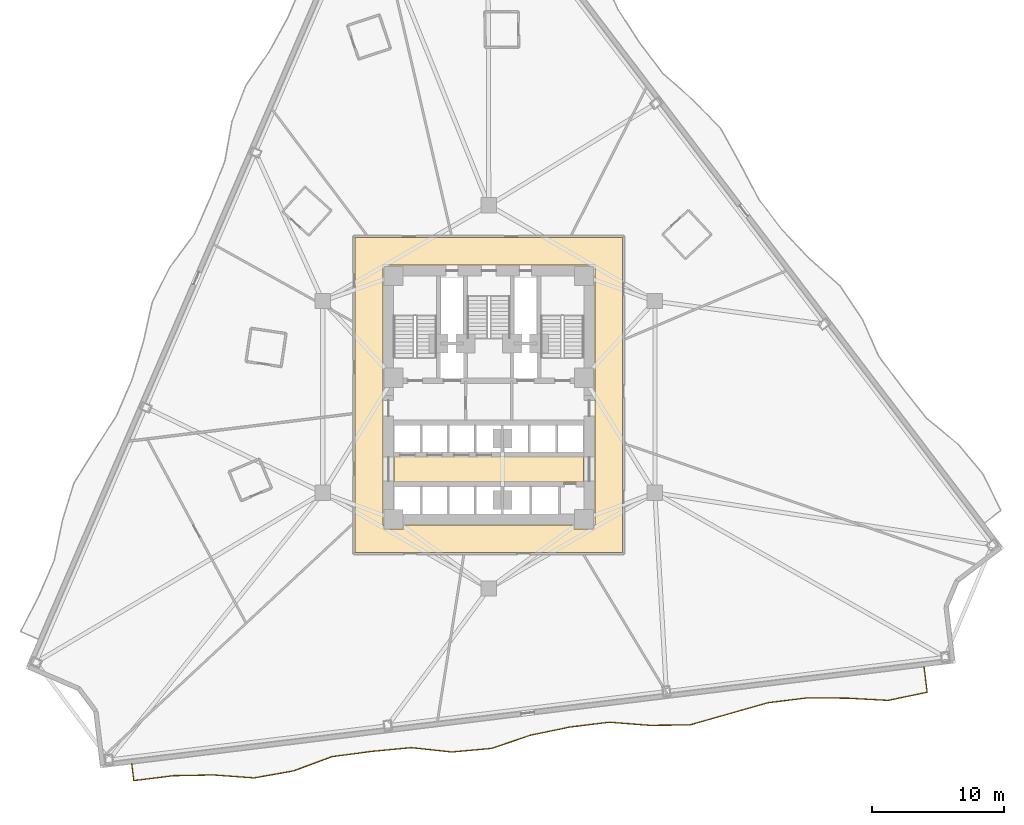
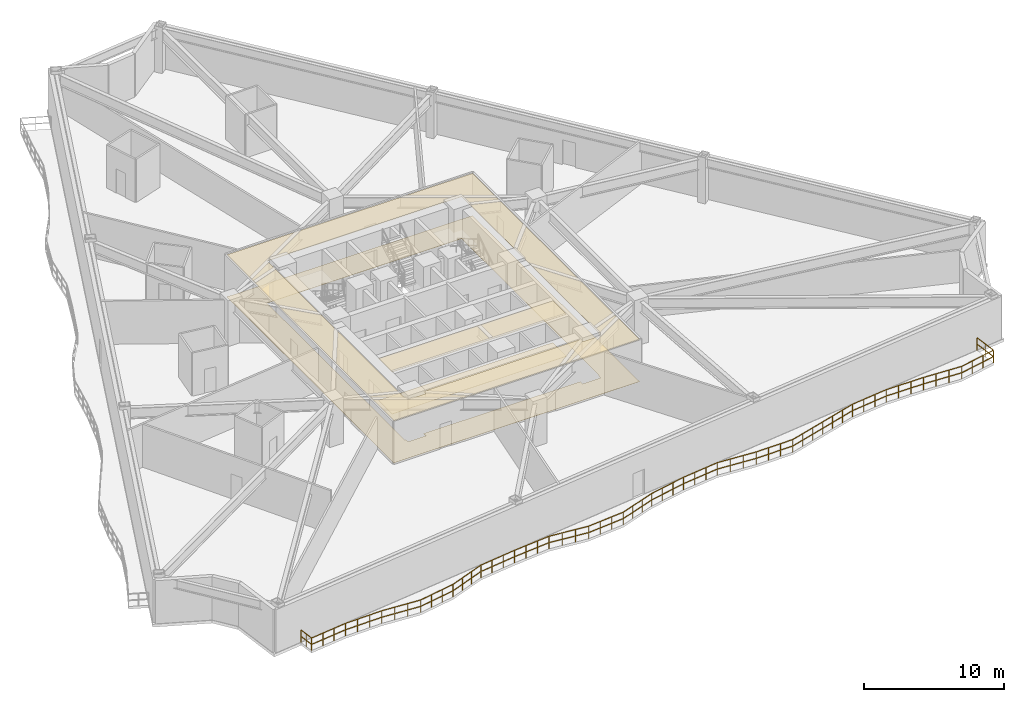
# One storey, part 8 of 12: 4 coverings, 1 railing.
"""IFC4 building model written with IfcOpenShell, lengths in metres."""

from ifc_helpers import new_model, si_unit, direction, frame, origin, origin_2d, place, context, subcontext, project, spatial, polyline, rectangle, outline, extrude, material, layer, layer_set, type_object, element, save


model = new_model("IFC4")

# Units and contexts
model_context = context("Model", 3, precision=1e-05, world=origin(), true_north=direction((0.0, 1.0)))
body_context = subcontext(model_context, "Body", "Model", "MODEL_VIEW")
ifc_project = project(units=[si_unit("LENGTHUNIT", "METRE"), si_unit("AREAUNIT", "SQUARE_METRE"), si_unit("VOLUMEUNIT", "CUBIC_METRE"), si_unit("PLANEANGLEUNIT", "RADIAN"), si_unit("MASSUNIT", "GRAM", prefix="KILO")], contexts=[model_context])

# Site, building, storey
site_placement = place(None, origin())
site = spatial("IfcSite", under=ifc_project, at=site_placement, CompositionType="ELEMENT")
building_placement = place(site_placement, origin())
building = spatial("IfcBuilding", under=site, at=building_placement, Name="Apsidion Concourse Tower", CompositionType="ELEMENT")
storey_placement = place(building_placement, frame((0.0, 0.0, 83.0)))
storey = spatial("IfcBuildingStorey", under=building, at=storey_placement, Name="L18", CompositionType="ELEMENT", Elevation=83.0)

# Coverings
ifc_material_1 = material(Name="Acoustic mineral fibre ceiling")
ifc_layer_1 = layer(ifc_material_1, 0.0400390625)
ifc_layer_set_1 = layer_set([ifc_layer_1], Name="Acoustic mineral fibre ceiling")
covering_type_1 = type_object("IfcCoveringType", Name="COV-CEIL-40", PredefinedType="CEILING", material=ifc_layer_set_1)
covering_1_placement = place(storey_placement, frame((0.0, 0.0, 3.64990234375)))
element("IfcCovering", 1, at=covering_1_placement, inside=storey, type_object=covering_type_1, Name="L18 Acoustic Ceiling Grid 1", PredefinedType="CEILING", context=body_context, shape_type="SweptSolid", body=[
    extrude(outline(polyline([(-7.179931640625, -6.449951171875), (-7.179931640625, -4.47998046875), (7.179931640625, -4.47998046875), (7.179931640625, -6.449951171875), (-7.179931640625, -6.449951171875)])), origin(), (0.0, 0.0, 1.0), 0.0400390625),
])
covering_2_placement = place(storey_placement, frame((0.0, 0.0, 3.64990234375)))
element("IfcCovering", 2, at=covering_2_placement, inside=storey, type_object=covering_type_1, Name="L18 Acoustic Ceiling Grid 2", PredefinedType="CEILING", context=body_context, shape_type="SweptSolid", body=[
    extrude(outline(polyline([(10.1201171875, 12.070068359375), (10.1201171875, -11.77001953125), (-10.1201171875, -11.77001953125), (-10.1201171875, 12.070068359375), (10.1201171875, 12.070068359375)]), holes=[polyline([(-8.02001953125, -9.669921875), (-7.945068359375, -9.669921875), (-7.945068359375, -9.97509765625), (-7.94482421875, -9.97705078125), (-7.944580078125, -9.97900390625), (-7.944091796875, -9.980712890625), (-7.943603515625, -9.982666015625), (-7.942626953125, -9.984375), (-7.941650390625, -9.986083984375), (-7.9404296875, -9.98779296875), (-7.939208984375, -9.989013671875), (-7.937744140625, -9.990478515625), (-7.93603515625, -9.99169921875), (-7.934326171875, -9.99267578125), (-7.9326171875, -9.993408203125), (-7.930908203125, -9.994140625), (-7.928955078125, -9.99462890625), (-7.927001953125, -9.994873046875), (-7.925048828125, -9.9951171875), (-6.47509765625, -9.9951171875), (-6.472900390625, -9.994873046875), (-6.47119140625, -9.99462890625), (-6.46923828125, -9.994140625), (-6.46728515625, -9.993408203125), (-6.465576171875, -9.99267578125), (-6.4638671875, -9.99169921875), (-6.46240234375, -9.990478515625), (-6.4609375, -9.989013671875), (-6.45947265625, -9.98779296875), (-6.45849609375, -9.986083984375), (-6.45751953125, -9.984375), (-6.45654296875, -9.982666015625), (-6.455810546875, -9.980712890625), (-6.455322265625, -9.97900390625), (-6.455078125, -9.97705078125), (-6.455078125, -9.97509765625), (-6.455078125, -9.669921875), (6.455078125, -9.669921875), (6.455078125, -9.97509765625), (6.455078125, -9.97705078125), (6.455322265625, -9.97900390625), (6.455810546875, -9.980712890625), (6.45654296875, -9.982666015625), (6.45751953125, -9.984375), (6.45849609375, -9.986083984375), (6.45947265625, -9.98779296875), (6.4609375, -9.989013671875), (6.46240234375, -9.990478515625), (6.4638671875, -9.99169921875), (6.465576171875, -9.99267578125), (6.46728515625, -9.993408203125), (6.46923828125, -9.994140625), (6.47119140625, -9.99462890625), (6.472900390625, -9.994873046875), (6.47509765625, -9.9951171875), (7.925048828125, -9.9951171875), (7.927001953125, -9.994873046875), (7.928955078125, -9.99462890625), (7.930908203125, -9.994140625), (7.9326171875, -9.993408203125), (7.934326171875, -9.99267578125), (7.93603515625, -9.99169921875), (7.937744140625, -9.990478515625), (7.939208984375, -9.989013671875), (7.9404296875, -9.98779296875), (7.941650390625, -9.986083984375), (7.942626953125, -9.984375), (7.943603515625, -9.982666015625), (7.944091796875, -9.980712890625), (7.944580078125, -9.97900390625), (7.94482421875, -9.97705078125), (7.945068359375, -9.97509765625), (7.945068359375, -9.669921875), (8.02001953125, -9.669921875), (8.02001953125, 9.969970703125), (-8.02001953125, 9.969970703125), (-8.02001953125, -9.669921875)])]), origin(), (0.0, 0.0, 1.0), 0.0400390625),
])
ifc_material_2 = material(Name="Honed travertine floor finish", Category="masonry")
ifc_layer_2 = layer(ifc_material_2, 0.02001953125)
ifc_layer_set_2 = layer_set([ifc_layer_2], Name="Honed travertine floor finish")
covering_type_2 = type_object("IfcCoveringType", Name="COV-FLOR-20", PredefinedType="FLOORING", material=ifc_layer_set_2)
covering_3_placement = place(storey_placement, origin())
element("IfcCovering", 3, at=covering_3_placement, inside=storey, type_object=covering_type_2, Name="L18 Honed Travertine Floor Finish 1", PredefinedType="FLOORING", context=body_context, shape_type="SweptSolid", body=[
    extrude(outline(polyline([(-7.179931640625, -6.449951171875), (-7.179931640625, -4.47998046875), (7.179931640625, -4.47998046875), (7.179931640625, -6.449951171875), (-7.179931640625, -6.449951171875)])), origin(), (0.0, 0.0, 1.0), 0.02001953125),
])
covering_4_placement = place(storey_placement, origin())
element("IfcCovering", 4, at=covering_4_placement, inside=storey, type_object=covering_type_2, Name="L18 Honed Travertine Floor Finish 2", PredefinedType="FLOORING", context=body_context, shape_type="SweptSolid", body=[
    extrude(outline(polyline([(10.1201171875, 12.070068359375), (10.1201171875, -11.77001953125), (-10.1201171875, -11.77001953125), (-10.1201171875, 12.070068359375), (10.1201171875, 12.070068359375)]), holes=[polyline([(-8.02001953125, -9.669921875), (-7.945068359375, -9.669921875), (-7.945068359375, -9.97509765625), (-7.94482421875, -9.97705078125), (-7.944580078125, -9.97900390625), (-7.944091796875, -9.980712890625), (-7.943603515625, -9.982666015625), (-7.942626953125, -9.984375), (-7.941650390625, -9.986083984375), (-7.9404296875, -9.98779296875), (-7.939208984375, -9.989013671875), (-7.937744140625, -9.990478515625), (-7.93603515625, -9.99169921875), (-7.934326171875, -9.99267578125), (-7.9326171875, -9.993408203125), (-7.930908203125, -9.994140625), (-7.928955078125, -9.99462890625), (-7.927001953125, -9.994873046875), (-7.925048828125, -9.9951171875), (-6.47509765625, -9.9951171875), (-6.472900390625, -9.994873046875), (-6.47119140625, -9.99462890625), (-6.46923828125, -9.994140625), (-6.46728515625, -9.993408203125), (-6.465576171875, -9.99267578125), (-6.4638671875, -9.99169921875), (-6.46240234375, -9.990478515625), (-6.4609375, -9.989013671875), (-6.45947265625, -9.98779296875), (-6.45849609375, -9.986083984375), (-6.45751953125, -9.984375), (-6.45654296875, -9.982666015625), (-6.455810546875, -9.980712890625), (-6.455322265625, -9.97900390625), (-6.455078125, -9.97705078125), (-6.455078125, -9.97509765625), (-6.455078125, -9.669921875), (6.455078125, -9.669921875), (6.455078125, -9.97509765625), (6.455078125, -9.97705078125), (6.455322265625, -9.97900390625), (6.455810546875, -9.980712890625), (6.45654296875, -9.982666015625), (6.45751953125, -9.984375), (6.45849609375, -9.986083984375), (6.45947265625, -9.98779296875), (6.4609375, -9.989013671875), (6.46240234375, -9.990478515625), (6.4638671875, -9.99169921875), (6.465576171875, -9.99267578125), (6.46728515625, -9.993408203125), (6.46923828125, -9.994140625), (6.47119140625, -9.99462890625), (6.472900390625, -9.994873046875), (6.47509765625, -9.9951171875), (7.925048828125, -9.9951171875), (7.927001953125, -9.994873046875), (7.928955078125, -9.99462890625), (7.930908203125, -9.994140625), (7.9326171875, -9.993408203125), (7.934326171875, -9.99267578125), (7.93603515625, -9.99169921875), (7.937744140625, -9.990478515625), (7.939208984375, -9.989013671875), (7.9404296875, -9.98779296875), (7.941650390625, -9.986083984375), (7.942626953125, -9.984375), (7.943603515625, -9.982666015625), (7.944091796875, -9.980712890625), (7.944580078125, -9.97900390625), (7.94482421875, -9.97705078125), (7.945068359375, -9.97509765625), (7.945068359375, -9.669921875), (8.02001953125, -9.669921875), (8.02001953125, 9.969970703125), (-8.02001953125, 9.969970703125), (-8.02001953125, -9.669921875)])]), origin(), (0.0, 0.0, 1.0), 0.02001953125),
])

# Railing
ifc_material_3 = material(Name="Brushed stainless steel 316", Category="steel")
railing_type = type_object("IfcRailingType", Name="RL-BAL-1120", PredefinedType="BALUSTRADE", material=ifc_material_3)
railing_placement = place(storey_placement, frame((32.931640625, -20.427734375, 0.0)))
element("IfcRailing", 5, at=railing_placement, inside=storey, type_object=railing_type, Name="L18 Face 2 Rippling Balcony Balustrade", PredefinedType="BALUSTRADE", context=body_context, shape_type="SweptSolid", body=[
    extrude(rectangle(XDim=0.048095703125, YDim=0.048095703125, at=origin_2d()), frame((0.0, 0.0, 1.09619140625), z_axis=(0.121858564057, -0.992547475119, 0.0), x_axis=(0.992547475119, 0.121858564057, 0.0)), (0.0, 0.0, 1.0), 1.933349609375),
    extrude(rectangle(XDim=0.048095703125, YDim=0.048095703125, at=origin_2d()), frame((0.0, 0.0, 0.5361328125), z_axis=(0.121858564057, -0.992547475119, 0.0), x_axis=(0.992547475119, 0.121858564057, 0.0)), (0.0, 0.0, 1.0), 1.933349609375),
    extrude(rectangle(XDim=0.048095703125, YDim=0.048095703125, at=origin_2d()), frame((0.235595703125, -1.9189453125, 1.09619140625), z_axis=(-0.979298992341, -0.202419079138, 0.0), x_axis=(0.202419079138, -0.979298992341, 0.0)), (0.0, 0.0, 1.0), 3.02978515625),
    extrude(rectangle(XDim=0.048095703125, YDim=0.048095703125, at=origin_2d()), frame((0.235595703125, -1.9189453125, 0.5361328125), z_axis=(-0.979298992341, -0.202419079138, 0.0), x_axis=(0.202419079138, -0.979298992341, 0.0)), (0.0, 0.0, 1.0), 3.02978515625),
    extrude(rectangle(XDim=0.048095703125, YDim=0.048095703125, at=origin_2d()), frame((-2.7314453125, -2.5322265625, 1.09619140625), z_axis=(-0.998491053776, 0.054914620365, 0.0), x_axis=(-0.054914620365, -0.998491053776, 0.0)), (0.0, 0.0, 1.0), 3.067626953125),
    extrude(rectangle(XDim=0.048095703125, YDim=0.048095703125, at=origin_2d()), frame((-2.7314453125, -2.5322265625, 0.5361328125), z_axis=(-0.998491053776, 0.054914620365, 0.0), x_axis=(-0.054914620365, -0.998491053776, 0.0)), (0.0, 0.0, 1.0), 3.067626953125),
    extrude(rectangle(XDim=0.048095703125, YDim=0.048095703125, at=origin_2d()), frame((-5.79443359375, -2.36376953125, 1.09619140625), z_axis=(-0.999980441123, 0.006254388133, 0.0), x_axis=(-0.006254388133, -0.999980441123, 0.0)), (0.0, 0.0, 1.0), 3.044677734375),
    extrude(rectangle(XDim=0.048095703125, YDim=0.048095703125, at=origin_2d()), frame((-5.79443359375, -2.36376953125, 0.5361328125), z_axis=(-0.999980441123, 0.006254388133, 0.0), x_axis=(-0.006254388133, -0.999980441123, 0.0)), (0.0, 0.0, 1.0), 3.044677734375),
    extrude(rectangle(XDim=0.048095703125, YDim=0.048095703125, at=origin_2d()), frame((-8.839111328125, -2.3447265625, 1.09619140625), z_axis=(-0.992549117334, -0.121845187343, 0.0), x_axis=(0.121845187343, -0.992549117334, 0.0)), (0.0, 0.0, 1.0), 3.01953125),
    extrude(rectangle(XDim=0.048095703125, YDim=0.048095703125, at=origin_2d()), frame((-8.839111328125, -2.3447265625, 0.5361328125), z_axis=(-0.992549117334, -0.121845187343, 0.0), x_axis=(0.121845187343, -0.992549117334, 0.0)), (0.0, 0.0, 1.0), 3.01953125),
    extrude(rectangle(XDim=0.048095703125, YDim=0.048095703125, at=origin_2d()), frame((-11.836181640625, -2.712646484375, 1.09619140625), z_axis=(-0.961321784684, -0.275427715183, 0.0), x_axis=(0.275427715183, -0.961321784684, 0.0)), (0.0, 0.0, 1.0), 3.05712890625),
    extrude(rectangle(XDim=0.048095703125, YDim=0.048095703125, at=origin_2d()), frame((-11.836181640625, -2.712646484375, 0.5361328125), z_axis=(-0.961321784684, -0.275427715183, 0.0), x_axis=(0.275427715183, -0.961321784684, 0.0)), (0.0, 0.0, 1.0), 3.05712890625),
    extrude(rectangle(XDim=0.048095703125, YDim=0.048095703125, at=origin_2d()), frame((-14.775146484375, -3.5546875, 1.09619140625), z_axis=(-0.962130567739, -0.272589014126, 0.0), x_axis=(0.272589014126, -0.962130567739, 0.0)), (0.0, 0.0, 1.0), 3.055908203125),
    extrude(rectangle(XDim=0.048095703125, YDim=0.048095703125, at=origin_2d()), frame((-14.775146484375, -3.5546875, 0.5361328125), z_axis=(-0.962130567739, -0.272589014126, 0.0), x_axis=(0.272589014126, -0.962130567739, 0.0)), (0.0, 0.0, 1.0), 3.055908203125),
    extrude(rectangle(XDim=0.048095703125, YDim=0.048095703125, at=origin_2d()), frame((-17.71533203125, -4.3876953125, 1.09619140625), z_axis=(-0.999944602942, -0.010525732663, 0.0), x_axis=(0.010525732663, -0.999944602942, 0.0)), (0.0, 0.0, 1.0), 3.03857421875),
    extrude(rectangle(XDim=0.048095703125, YDim=0.048095703125, at=origin_2d()), frame((-17.71533203125, -4.3876953125, 0.5361328125), z_axis=(-0.999944602942, -0.010525732663, 0.0), x_axis=(0.010525732663, -0.999944602942, 0.0)), (0.0, 0.0, 1.0), 3.03857421875),
    extrude(rectangle(XDim=0.048095703125, YDim=0.048095703125, at=origin_2d()), frame((-20.753662109375, -4.419677734375, 1.09619140625), z_axis=(-0.997082857079, 0.076326771969, 0.0), x_axis=(-0.076326771969, -0.997082857079, 0.0)), (0.0, 0.0, 1.0), 3.080322265625),
    extrude(rectangle(XDim=0.048095703125, YDim=0.048095703125, at=origin_2d()), frame((-20.753662109375, -4.419677734375, 0.5361328125), z_axis=(-0.997082857079, 0.076326771969, 0.0), x_axis=(-0.076326771969, -0.997082857079, 0.0)), (0.0, 0.0, 1.0), 3.080322265625),
    extrude(rectangle(XDim=0.048095703125, YDim=0.048095703125, at=origin_2d()), frame((-23.824951171875, -4.1845703125, 1.09619140625), z_axis=(-0.992539336111, -0.121924838616, 0.0), x_axis=(0.121924838616, -0.992539336111, 0.0)), (0.0, 0.0, 1.0), 3.01953125),
    extrude(rectangle(XDim=0.048095703125, YDim=0.048095703125, at=origin_2d()), frame((-23.824951171875, -4.1845703125, 0.5361328125), z_axis=(-0.992539336111, -0.121924838616, 0.0), x_axis=(0.121924838616, -0.992539336111, 0.0)), (0.0, 0.0, 1.0), 3.01953125),
    extrude(rectangle(XDim=0.048095703125, YDim=0.048095703125, at=origin_2d()), frame((-26.822021484375, -4.552734375, 1.09619140625), z_axis=(-0.979119617974, -0.203284956892, 0.0), x_axis=(0.203284956892, -0.979119617974, 0.0)), (0.0, 0.0, 1.0), 3.030029296875),
    extrude(rectangle(XDim=0.048095703125, YDim=0.048095703125, at=origin_2d()), frame((-26.822021484375, -4.552734375, 0.5361328125), z_axis=(-0.979119617974, -0.203284956892, 0.0), x_axis=(0.203284956892, -0.979119617974, 0.0)), (0.0, 0.0, 1.0), 3.030029296875),
    extrude(rectangle(XDim=0.048095703125, YDim=0.048095703125, at=origin_2d()), frame((-29.788818359375, -5.168701171875, 1.09619140625), z_axis=(-0.946549181797, -0.32255952387, 0.0), x_axis=(0.32255952387, -0.946549181797, 0.0)), (0.0, 0.0, 1.0), 3.0849609375),
    extrude(rectangle(XDim=0.048095703125, YDim=0.048095703125, at=origin_2d()), frame((-29.788818359375, -5.168701171875, 0.5361328125), z_axis=(-0.946549181797, -0.32255952387, 0.0), x_axis=(0.32255952387, -0.946549181797, 0.0)), (0.0, 0.0, 1.0), 3.0849609375),
    extrude(rectangle(XDim=0.048095703125, YDim=0.048095703125, at=origin_2d()), frame((-32.708984375, -6.163818359375, 1.09619140625), z_axis=(-0.995880610935, -0.09067419017, 0.0), x_axis=(0.09067419017, -0.995880610935, 0.0)), (0.0, 0.0, 1.0), 3.02099609375),
    extrude(rectangle(XDim=0.048095703125, YDim=0.048095703125, at=origin_2d()), frame((-32.708984375, -6.163818359375, 0.5361328125), z_axis=(-0.995880610935, -0.09067419017, 0.0), x_axis=(0.09067419017, -0.995880610935, 0.0)), (0.0, 0.0, 1.0), 3.02099609375),
    extrude(rectangle(XDim=0.048095703125, YDim=0.048095703125, at=origin_2d()), frame((-35.717529296875, -6.437744140625, 1.09619140625), z_axis=(-0.994334148673, 0.106299580354, 0.0), x_axis=(-0.106299580354, -0.994334148673, 0.0)), (0.0, 0.0, 1.0), 3.1005859375),
    extrude(rectangle(XDim=0.048095703125, YDim=0.048095703125, at=origin_2d()), frame((-35.717529296875, -6.437744140625, 0.5361328125), z_axis=(-0.994334148673, 0.106299580354, 0.0), x_axis=(-0.106299580354, -0.994334148673, 0.0)), (0.0, 0.0, 1.0), 3.1005859375),
    extrude(rectangle(XDim=0.048095703125, YDim=0.048095703125, at=origin_2d()), frame((-38.800537109375, -6.108154296875, 1.09619140625), z_axis=(-0.995557373333, -0.09415687124, 0.0), x_axis=(0.09415687124, -0.995557373333, 0.0)), (0.0, 0.0, 1.0), 3.020751953125),
    extrude(rectangle(XDim=0.048095703125, YDim=0.048095703125, at=origin_2d()), frame((-38.800537109375, -6.108154296875, 0.5361328125), z_axis=(-0.995557373333, -0.09415687124, 0.0), x_axis=(0.09415687124, -0.995557373333, 0.0)), (0.0, 0.0, 1.0), 3.020751953125),
    extrude(rectangle(XDim=0.048095703125, YDim=0.048095703125, at=origin_2d()), frame((-41.807861328125, -6.392578125, 1.09619140625), z_axis=(-0.991365741914, -0.13112576314, 0.0), x_axis=(0.13112576314, -0.991365741914, 0.0)), (0.0, 0.0, 1.0), 3.02001953125),
    extrude(rectangle(XDim=0.048095703125, YDim=0.048095703125, at=origin_2d()), frame((-41.807861328125, -6.392578125, 0.5361328125), z_axis=(-0.991365741914, -0.13112576314, 0.0), x_axis=(0.13112576314, -0.991365741914, 0.0)), (0.0, 0.0, 1.0), 3.02001953125),
    extrude(rectangle(XDim=0.048095703125, YDim=0.048095703125, at=origin_2d()), frame((-44.8017578125, -6.78857421875, 1.09619140625), z_axis=(-0.937545529283, -0.347862588563, 0.0), x_axis=(0.347862588563, -0.937545529283, 0.0)), (0.0, 0.0, 1.0), 3.103515625),
    extrude(rectangle(XDim=0.048095703125, YDim=0.048095703125, at=origin_2d()), frame((-44.8017578125, -6.78857421875, 0.5361328125), z_axis=(-0.937545529283, -0.347862588563, 0.0), x_axis=(0.347862588563, -0.937545529283, 0.0)), (0.0, 0.0, 1.0), 3.103515625),
    extrude(rectangle(XDim=0.048095703125, YDim=0.048095703125, at=origin_2d()), frame((-47.71142578125, -7.8681640625, 1.09619140625), z_axis=(-0.984648341885, -0.174549829055, 0.0), x_axis=(0.174549829055, -0.984648341885, 0.0)), (0.0, 0.0, 1.0), 3.02392578125),
    extrude(rectangle(XDim=0.048095703125, YDim=0.048095703125, at=origin_2d()), frame((-47.71142578125, -7.8681640625, 0.5361328125), z_axis=(-0.984648341885, -0.174549829055, 0.0), x_axis=(0.174549829055, -0.984648341885, 0.0)), (0.0, 0.0, 1.0), 3.02392578125),
    extrude(rectangle(XDim=0.048095703125, YDim=0.048095703125, at=origin_2d()), frame((-50.68896484375, -8.39599609375, 1.09619140625), z_axis=(-0.997357045726, 0.072656199609, 0.0), x_axis=(-0.072656199609, -0.997357045726, 0.0)), (0.0, 0.0, 1.0), 3.077880859375),
    extrude(rectangle(XDim=0.048095703125, YDim=0.048095703125, at=origin_2d()), frame((-50.68896484375, -8.39599609375, 0.5361328125), z_axis=(-0.997357045726, 0.072656199609, 0.0), x_axis=(-0.072656199609, -0.997357045726, 0.0)), (0.0, 0.0, 1.0), 3.077880859375),
    extrude(rectangle(XDim=0.048095703125, YDim=0.048095703125, at=origin_2d()), frame((-53.7587890625, -8.17236328125, 1.09619140625), z_axis=(-0.999802656328, -0.019865759481, 0.0), x_axis=(0.019865759481, -0.999802656328, 0.0)), (0.0, 0.0, 1.0), 3.035400390625),
    extrude(rectangle(XDim=0.048095703125, YDim=0.048095703125, at=origin_2d()), frame((-53.7587890625, -8.17236328125, 0.5361328125), z_axis=(-0.999802656328, -0.019865759481, 0.0), x_axis=(0.019865759481, -0.999802656328, 0.0)), (0.0, 0.0, 1.0), 3.035400390625),
    extrude(rectangle(XDim=0.048095703125, YDim=0.048095703125, at=origin_2d()), frame((-56.793701171875, -8.232666015625, 1.09619140625), z_axis=(-0.992550317551, -0.121835409998, 0.0), x_axis=(0.121835409998, -0.992550317551, 0.0)), (0.0, 0.0, 1.0), 3.019775390625),
    extrude(rectangle(XDim=0.048095703125, YDim=0.048095703125, at=origin_2d()), frame((-56.793701171875, -8.232666015625, 0.5361328125), z_axis=(-0.992550317551, -0.121835409998, 0.0), x_axis=(0.121835409998, -0.992550317551, 0.0)), (0.0, 0.0, 1.0), 3.019775390625),
    extrude(rectangle(XDim=0.048095703125, YDim=0.048095703125, at=origin_2d()), frame((-59.791015625, -8.6005859375, 1.09619140625), z_axis=(-0.121871048404, 0.992545942292, 0.0), x_axis=(-0.992545942292, -0.121871048404, 0.0)), (0.0, 0.0, 1.0), 1.25),
    extrude(rectangle(XDim=0.048095703125, YDim=0.048095703125, at=origin_2d()), frame((-59.791015625, -8.6005859375, 0.5361328125), z_axis=(-0.121871048404, 0.992545942292, 0.0), x_axis=(-0.992545942292, -0.121871048404, 0.0)), (0.0, 0.0, 1.0), 1.25),
    extrude(rectangle(XDim=0.0419921875, YDim=0.0419921875, at=origin_2d()), origin(), (0.0, 0.0, 1.0), 1.072021484375),
    extrude(rectangle(XDim=0.0419921875, YDim=0.0419921875, at=origin_2d()), frame((0.11767578125, -0.95947265625, 0.0)), (0.0, 0.0, 1.0), 1.072021484375),
    extrude(rectangle(XDim=0.0419921875, YDim=0.0419921875, at=origin_2d()), frame((0.235595703125, -1.9189453125, 0.0)), (0.0, 0.0, 1.0), 1.072021484375),
    extrude(rectangle(XDim=0.0419921875, YDim=0.0419921875, at=origin_2d()), frame((-0.75341796875, -2.123291015625, 0.0)), (0.0, 0.0, 1.0), 1.072021484375),
    extrude(rectangle(XDim=0.0419921875, YDim=0.0419921875, at=origin_2d()), frame((-1.742431640625, -2.327880859375, 0.0)), (0.0, 0.0, 1.0), 1.072021484375),
    extrude(rectangle(XDim=0.0419921875, YDim=0.0419921875, at=origin_2d()), frame((-2.7314453125, -2.5322265625, 0.0)), (0.0, 0.0, 1.0), 1.072021484375),
    extrude(rectangle(XDim=0.0419921875, YDim=0.0419921875, at=origin_2d()), frame((-3.75244140625, -2.47607421875, 0.0)), (0.0, 0.0, 1.0), 1.072021484375),
    extrude(rectangle(XDim=0.0419921875, YDim=0.0419921875, at=origin_2d()), frame((-4.7734375, -2.419921875, 0.0)), (0.0, 0.0, 1.0), 1.072021484375),
    extrude(rectangle(XDim=0.0419921875, YDim=0.0419921875, at=origin_2d()), frame((-5.79443359375, -2.36376953125, 0.0)), (0.0, 0.0, 1.0), 1.072021484375),
    extrude(rectangle(XDim=0.0419921875, YDim=0.0419921875, at=origin_2d()), frame((-6.809326171875, -2.357421875, 0.0)), (0.0, 0.0, 1.0), 1.072021484375),
    extrude(rectangle(XDim=0.0419921875, YDim=0.0419921875, at=origin_2d()), frame((-7.82421875, -2.35107421875, 0.0)), (0.0, 0.0, 1.0), 1.072021484375),
    extrude(rectangle(XDim=0.0419921875, YDim=0.0419921875, at=origin_2d()), frame((-8.839111328125, -2.3447265625, 0.0)), (0.0, 0.0, 1.0), 1.072021484375),
    extrude(rectangle(XDim=0.0419921875, YDim=0.0419921875, at=origin_2d()), frame((-9.838134765625, -2.46728515625, 0.0)), (0.0, 0.0, 1.0), 1.072021484375),
    extrude(rectangle(XDim=0.0419921875, YDim=0.0419921875, at=origin_2d()), frame((-10.837158203125, -2.590087890625, 0.0)), (0.0, 0.0, 1.0), 1.072021484375),
    extrude(rectangle(XDim=0.0419921875, YDim=0.0419921875, at=origin_2d()), frame((-11.836181640625, -2.712646484375, 0.0)), (0.0, 0.0, 1.0), 1.072021484375),
    extrude(rectangle(XDim=0.0419921875, YDim=0.0419921875, at=origin_2d()), frame((-12.81591796875, -2.993408203125, 0.0)), (0.0, 0.0, 1.0), 1.072021484375),
    extrude(rectangle(XDim=0.0419921875, YDim=0.0419921875, at=origin_2d()), frame((-13.79541015625, -3.27392578125, 0.0)), (0.0, 0.0, 1.0), 1.072021484375),
    extrude(rectangle(XDim=0.0419921875, YDim=0.0419921875, at=origin_2d()), frame((-14.775146484375, -3.5546875, 0.0)), (0.0, 0.0, 1.0), 1.072021484375),
    extrude(rectangle(XDim=0.0419921875, YDim=0.0419921875, at=origin_2d()), frame((-15.755126953125, -3.832275390625, 0.0)), (0.0, 0.0, 1.0), 1.072021484375),
    extrude(rectangle(XDim=0.0419921875, YDim=0.0419921875, at=origin_2d()), frame((-16.7353515625, -4.110107421875, 0.0)), (0.0, 0.0, 1.0), 1.072021484375),
    extrude(rectangle(XDim=0.0419921875, YDim=0.0419921875, at=origin_2d()), frame((-17.71533203125, -4.3876953125, 0.0)), (0.0, 0.0, 1.0), 1.072021484375),
    extrude(rectangle(XDim=0.0419921875, YDim=0.0419921875, at=origin_2d()), frame((-18.72802734375, -4.3984375, 0.0)), (0.0, 0.0, 1.0), 1.072021484375),
    extrude(rectangle(XDim=0.0419921875, YDim=0.0419921875, at=origin_2d()), frame((-19.740966796875, -4.408935546875, 0.0)), (0.0, 0.0, 1.0), 1.072021484375),
    extrude(rectangle(XDim=0.0419921875, YDim=0.0419921875, at=origin_2d()), frame((-20.753662109375, -4.419677734375, 0.0)), (0.0, 0.0, 1.0), 1.072021484375),
    extrude(rectangle(XDim=0.0419921875, YDim=0.0419921875, at=origin_2d()), frame((-21.77734375, -4.34130859375, 0.0)), (0.0, 0.0, 1.0), 1.072021484375),
    extrude(rectangle(XDim=0.0419921875, YDim=0.0419921875, at=origin_2d()), frame((-22.80126953125, -4.262939453125, 0.0)), (0.0, 0.0, 1.0), 1.072021484375),
    extrude(rectangle(XDim=0.0419921875, YDim=0.0419921875, at=origin_2d()), frame((-23.824951171875, -4.1845703125, 0.0)), (0.0, 0.0, 1.0), 1.072021484375),
    extrude(rectangle(XDim=0.0419921875, YDim=0.0419921875, at=origin_2d()), frame((-24.823974609375, -4.307373046875, 0.0)), (0.0, 0.0, 1.0), 1.072021484375),
    extrude(rectangle(XDim=0.0419921875, YDim=0.0419921875, at=origin_2d()), frame((-25.822998046875, -4.429931640625, 0.0)), (0.0, 0.0, 1.0), 1.072021484375),
    extrude(rectangle(XDim=0.0419921875, YDim=0.0419921875, at=origin_2d()), frame((-26.822021484375, -4.552734375, 0.0)), (0.0, 0.0, 1.0), 1.072021484375),
    extrude(rectangle(XDim=0.0419921875, YDim=0.0419921875, at=origin_2d()), frame((-27.81103515625, -4.758056640625, 0.0)), (0.0, 0.0, 1.0), 1.072021484375),
    extrude(rectangle(XDim=0.0419921875, YDim=0.0419921875, at=origin_2d()), frame((-28.7998046875, -4.96337890625, 0.0)), (0.0, 0.0, 1.0), 1.072021484375),
    extrude(rectangle(XDim=0.0419921875, YDim=0.0419921875, at=origin_2d()), frame((-29.788818359375, -5.168701171875, 0.0)), (0.0, 0.0, 1.0), 1.072021484375),
    extrude(rectangle(XDim=0.0419921875, YDim=0.0419921875, at=origin_2d()), frame((-30.76220703125, -5.50048828125, 0.0)), (0.0, 0.0, 1.0), 1.072021484375),
    extrude(rectangle(XDim=0.0419921875, YDim=0.0419921875, at=origin_2d()), frame((-31.735595703125, -5.83203125, 0.0)), (0.0, 0.0, 1.0), 1.072021484375),
    extrude(rectangle(XDim=0.0419921875, YDim=0.0419921875, at=origin_2d()), frame((-32.708984375, -6.163818359375, 0.0)), (0.0, 0.0, 1.0), 1.072021484375),
    extrude(rectangle(XDim=0.0419921875, YDim=0.0419921875, at=origin_2d()), frame((-33.7119140625, -6.255126953125, 0.0)), (0.0, 0.0, 1.0), 1.072021484375),
    extrude(rectangle(XDim=0.0419921875, YDim=0.0419921875, at=origin_2d()), frame((-34.714599609375, -6.346435546875, 0.0)), (0.0, 0.0, 1.0), 1.072021484375),
    extrude(rectangle(XDim=0.0419921875, YDim=0.0419921875, at=origin_2d()), frame((-35.717529296875, -6.437744140625, 0.0)), (0.0, 0.0, 1.0), 1.072021484375),
    extrude(rectangle(XDim=0.0419921875, YDim=0.0419921875, at=origin_2d()), frame((-36.7451171875, -6.327880859375, 0.0)), (0.0, 0.0, 1.0), 1.072021484375),
    extrude(rectangle(XDim=0.0419921875, YDim=0.0419921875, at=origin_2d()), frame((-37.77294921875, -6.218017578125, 0.0)), (0.0, 0.0, 1.0), 1.072021484375),
    extrude(rectangle(XDim=0.0419921875, YDim=0.0419921875, at=origin_2d()), frame((-38.800537109375, -6.108154296875, 0.0)), (0.0, 0.0, 1.0), 1.072021484375),
    extrude(rectangle(XDim=0.0419921875, YDim=0.0419921875, at=origin_2d()), frame((-39.802978515625, -6.202880859375, 0.0)), (0.0, 0.0, 1.0), 1.072021484375),
    extrude(rectangle(XDim=0.0419921875, YDim=0.0419921875, at=origin_2d()), frame((-40.805419921875, -6.2978515625, 0.0)), (0.0, 0.0, 1.0), 1.072021484375),
    extrude(rectangle(XDim=0.0419921875, YDim=0.0419921875, at=origin_2d()), frame((-41.807861328125, -6.392578125, 0.0)), (0.0, 0.0, 1.0), 1.072021484375),
    extrude(rectangle(XDim=0.0419921875, YDim=0.0419921875, at=origin_2d()), frame((-42.805908203125, -6.524658203125, 0.0)), (0.0, 0.0, 1.0), 1.072021484375),
    extrude(rectangle(XDim=0.0419921875, YDim=0.0419921875, at=origin_2d()), frame((-43.8037109375, -6.656494140625, 0.0)), (0.0, 0.0, 1.0), 1.072021484375),
    extrude(rectangle(XDim=0.0419921875, YDim=0.0419921875, at=origin_2d()), frame((-44.8017578125, -6.78857421875, 0.0)), (0.0, 0.0, 1.0), 1.072021484375),
    extrude(rectangle(XDim=0.0419921875, YDim=0.0419921875, at=origin_2d()), frame((-45.771728515625, -7.1484375, 0.0)), (0.0, 0.0, 1.0), 1.072021484375),
    extrude(rectangle(XDim=0.0419921875, YDim=0.0419921875, at=origin_2d()), frame((-46.741455078125, -7.50830078125, 0.0)), (0.0, 0.0, 1.0), 1.072021484375),
    extrude(rectangle(XDim=0.0419921875, YDim=0.0419921875, at=origin_2d()), frame((-47.71142578125, -7.8681640625, 0.0)), (0.0, 0.0, 1.0), 1.072021484375),
    extrude(rectangle(XDim=0.0419921875, YDim=0.0419921875, at=origin_2d()), frame((-48.703857421875, -8.044189453125, 0.0)), (0.0, 0.0, 1.0), 1.072021484375),
    extrude(rectangle(XDim=0.0419921875, YDim=0.0419921875, at=origin_2d()), frame((-49.696533203125, -8.219970703125, 0.0)), (0.0, 0.0, 1.0), 1.072021484375),
    extrude(rectangle(XDim=0.0419921875, YDim=0.0419921875, at=origin_2d()), frame((-50.68896484375, -8.39599609375, 0.0)), (0.0, 0.0, 1.0), 1.072021484375),
    extrude(rectangle(XDim=0.0419921875, YDim=0.0419921875, at=origin_2d()), frame((-51.712158203125, -8.321533203125, 0.0)), (0.0, 0.0, 1.0), 1.072021484375),
    extrude(rectangle(XDim=0.0419921875, YDim=0.0419921875, at=origin_2d()), frame((-52.735595703125, -8.246826171875, 0.0)), (0.0, 0.0, 1.0), 1.072021484375),
    extrude(rectangle(XDim=0.0419921875, YDim=0.0419921875, at=origin_2d()), frame((-53.7587890625, -8.17236328125, 0.0)), (0.0, 0.0, 1.0), 1.072021484375),
    extrude(rectangle(XDim=0.0419921875, YDim=0.0419921875, at=origin_2d()), frame((-54.7705078125, -8.1923828125, 0.0)), (0.0, 0.0, 1.0), 1.072021484375),
    extrude(rectangle(XDim=0.0419921875, YDim=0.0419921875, at=origin_2d()), frame((-55.781982421875, -8.212646484375, 0.0)), (0.0, 0.0, 1.0), 1.072021484375),
    extrude(rectangle(XDim=0.0419921875, YDim=0.0419921875, at=origin_2d()), frame((-56.793701171875, -8.232666015625, 0.0)), (0.0, 0.0, 1.0), 1.072021484375),
    extrude(rectangle(XDim=0.0419921875, YDim=0.0419921875, at=origin_2d()), frame((-57.792724609375, -8.355224609375, 0.0)), (0.0, 0.0, 1.0), 1.072021484375),
    extrude(rectangle(XDim=0.0419921875, YDim=0.0419921875, at=origin_2d()), frame((-58.7919921875, -8.47802734375, 0.0)), (0.0, 0.0, 1.0), 1.072021484375),
    extrude(rectangle(XDim=0.0419921875, YDim=0.0419921875, at=origin_2d()), frame((-59.791015625, -8.6005859375, 0.0)), (0.0, 0.0, 1.0), 1.072021484375),
    extrude(rectangle(XDim=0.0419921875, YDim=0.0419921875, at=origin_2d()), frame((-59.8671875, -7.980224609375, 0.0)), (0.0, 0.0, 1.0), 1.072021484375),
    extrude(rectangle(XDim=0.0419921875, YDim=0.0419921875, at=origin_2d()), frame((-59.943359375, -7.35986328125, 0.0)), (0.0, 0.0, 1.0), 1.072021484375),
])

save(model, "model.ifc")
